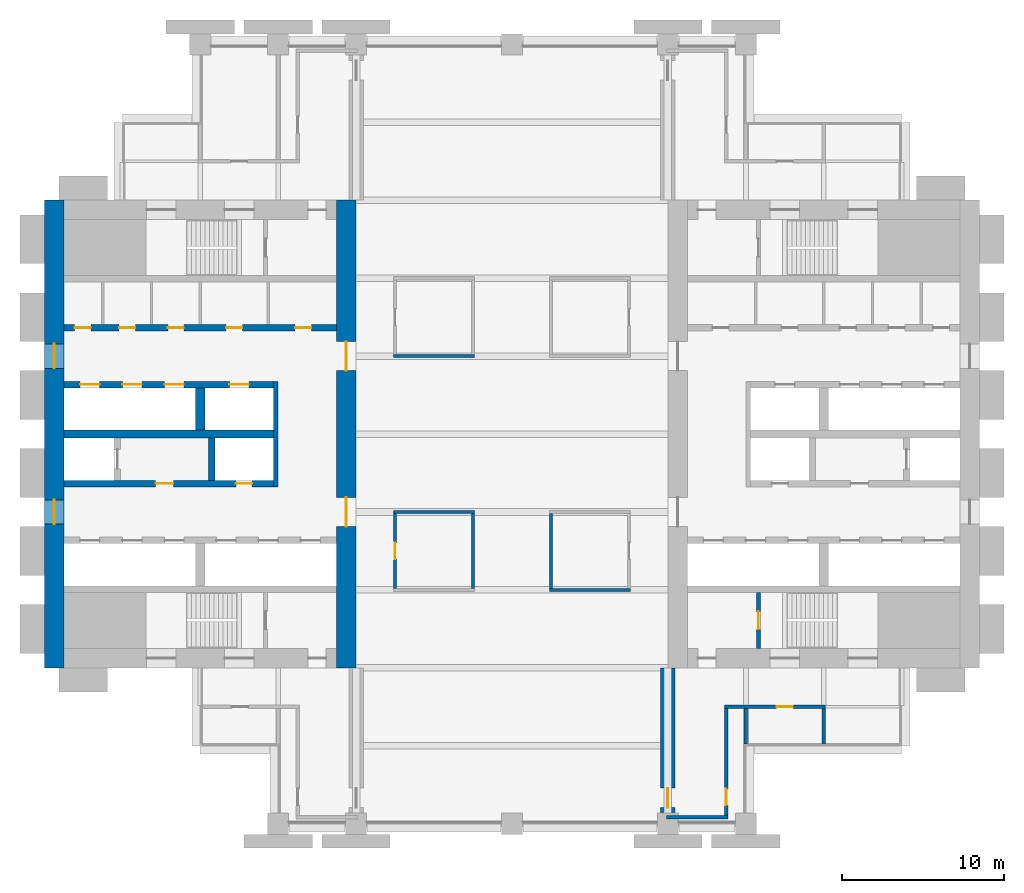
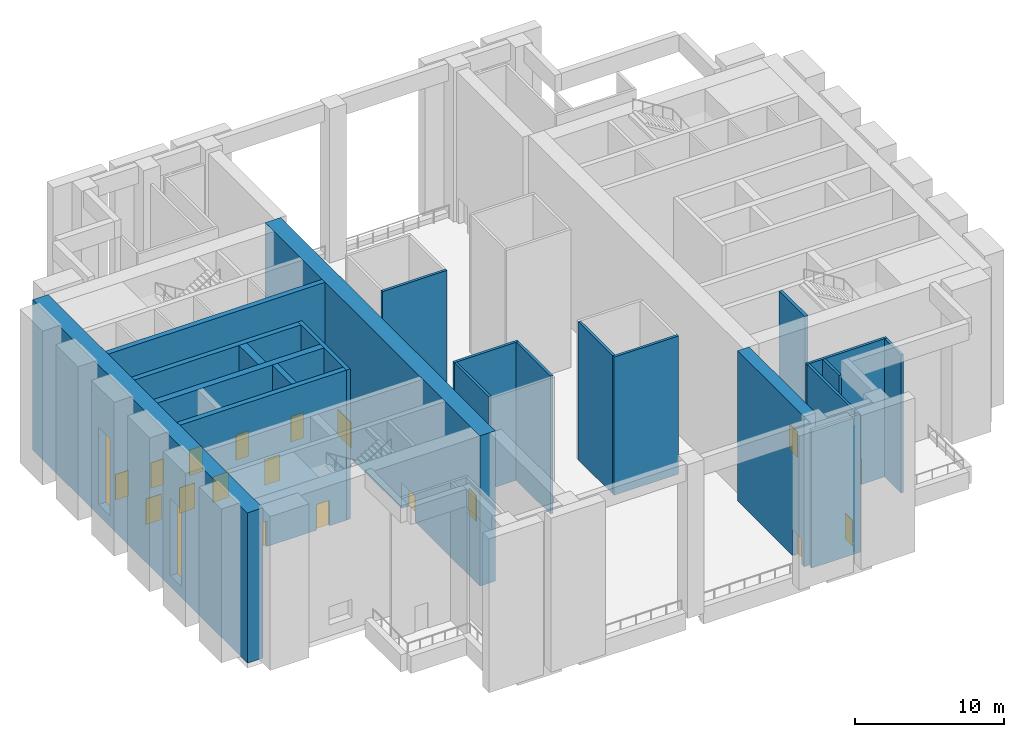
# One storey, part 3 of 10: 22 walls, 18 doors, 2 windows, 20 openings.
"""IFC4 building model written with IfcOpenShell, lengths in metres."""

from ifc_helpers import new_model, si_unit, direction, frame, frame_2d, origin, place, context, subcontext, project, spatial, rectangle, extrude, material, layer, layer_set, type_object, element, fill, save


model = new_model("IFC4")

# Units and contexts
model_context = context("Model", 3, precision=1e-05, world=origin(), true_north=direction((0.0, 1.0)))
body_context = subcontext(model_context, "Body", "Model", "MODEL_VIEW")
ifc_project = project(units=[si_unit("LENGTHUNIT", "METRE"), si_unit("AREAUNIT", "SQUARE_METRE"), si_unit("VOLUMEUNIT", "CUBIC_METRE"), si_unit("PLANEANGLEUNIT", "RADIAN"), si_unit("MASSUNIT", "GRAM", prefix="KILO")], contexts=[model_context])

# Site, building, storey
site_placement = place(None, origin())
site = spatial("IfcSite", under=ifc_project, at=site_placement, CompositionType="ELEMENT")
building_placement = place(site_placement, origin())
building = spatial("IfcBuilding", under=site, at=building_placement, Name="Baori Bourse Tower", CompositionType="ELEMENT")
storey_placement = place(building_placement, frame((0.0, 0.0, 91.5)))
storey = spatial("IfcBuildingStorey", under=building, at=storey_placement, Name="L20", CompositionType="ELEMENT", Elevation=91.5)

# Wall, openings, windows
ifc_material_1 = material(Name="Concrete f'c 70 MPa", Category="concrete")
ifc_layer_1 = layer(ifc_material_1, 1.199951171875)
ifc_layer_set_1 = layer_set([ifc_layer_1], Name="Core wall 1200 f'c 70")
wall_type_1 = type_object("IfcWallType", Name="Core wall 1200 f'c 70", PredefinedType="SHEAR", material=ifc_layer_set_1)
wall_1_placement = place(storey_placement, frame((0.60009765625, 9.60009765625, 0.0), z_axis=(0.0, 0.0, 1.0), x_axis=(0.0, 1.0, 0.0)))
wall_1 = element("IfcWall", 1, at=wall_1_placement, inside=storey, type_object=wall_type_1, Name="Core wall W01", PredefinedType="SHEAR", context=body_context, shape_type="SweptSolid", body=[
    extrude(rectangle(XDim=28.7998046875, YDim=1.199951171875, at=frame_2d((14.39990234375, 0.0))), origin(), (0.0, 0.0, 1.0), 12.300048828125),
])
opening_1_placement = place(wall_1_placement, frame((8.85009765625, 0.0, 0.89990234375)))
opening_1 = element("IfcOpeningElement", 2, at=opening_1_placement, cuts=wall_1, Name="Opening L20-KW101", PredefinedType="OPENING", context=body_context, shape_type="SweptSolid", body=[
    extrude(rectangle(XDim=1.5, YDim=6.300048828125, at=frame_2d((0.75, 3.14990234375))), frame((0.0, 0.60986328125, 0.0), z_axis=(0.0, -1.0, 0.0), x_axis=(1.0, 0.0, 0.0)), (0.0, 0.0, 1.0), 1.219970703125),
])
opening_2_placement = place(wall_1_placement, frame((18.449951171875, 0.0, 0.89990234375)))
opening_2 = element("IfcOpeningElement", 3, at=opening_2_placement, cuts=wall_1, Name="Opening L20-KW102", PredefinedType="OPENING", context=body_context, shape_type="SweptSolid", body=[
    extrude(rectangle(XDim=1.5, YDim=6.300048828125, at=frame_2d((0.75, 3.14990234375))), frame((0.0, 0.60986328125, 0.0), z_axis=(0.0, -1.0, 0.0), x_axis=(1.0, 0.0, 0.0)), (0.0, 0.0, 1.0), 1.219970703125),
])
ifc_material_2 = material(Name="Pale anodised aluminium", Category="aluminium")
window_type = type_object("IfcWindowType", Name="Lobby window 1500 x 6300", PartitioningType="SINGLE_PANEL", PredefinedType="WINDOW", material=ifc_material_2)
window_1_placement = place(opening_1_placement, origin())
window_1 = element("IfcWindow", 4, at=window_1_placement, inside=storey, type_object=window_type, Name="Outer wall window W L20 1", OverallHeight=6.300048828125, OverallWidth=1.5, PartitioningType="SINGLE_PANEL", PredefinedType="WINDOW", context=body_context, shape_type="SweptSolid", body=[
    extrude(rectangle(XDim=1.5, YDim=6.300048828125, at=frame_2d((0.75, 3.14990234375))), frame((0.0, 0.030029296875, 0.0), z_axis=(0.0, -1.0, 0.0), x_axis=(1.0, 0.0, 0.0)), (0.0, 0.0, 1.0), 0.06005859375),
])
fill(opening_1, window_1)
window_2_placement = place(opening_2_placement, origin())
window_2 = element("IfcWindow", 5, at=window_2_placement, inside=storey, type_object=window_type, Name="Outer wall window W L20 2", OverallHeight=6.300048828125, OverallWidth=1.5, PartitioningType="SINGLE_PANEL", PredefinedType="WINDOW", context=body_context, shape_type="SweptSolid", body=[
    extrude(rectangle(XDim=1.5, YDim=6.300048828125, at=frame_2d((0.75, 3.14990234375))), frame((0.0, 0.030029296875, 0.0), z_axis=(0.0, -1.0, 0.0), x_axis=(1.0, 0.0, 0.0)), (0.0, 0.0, 1.0), 0.06005859375),
])
fill(opening_2, window_2)

# Wall, openings, doors
wall_2_placement = place(storey_placement, frame((18.60009765625, 38.39990234375, 0.0), z_axis=(0.0, 0.0, 1.0), x_axis=(0.0, -1.0, 0.0)))
wall_2 = element("IfcWall", 6, at=wall_2_placement, inside=storey, type_object=wall_type_1, Name="Core wall W03", PredefinedType="SHEAR", context=body_context, shape_type="SweptSolid", body=[
    extrude(rectangle(XDim=28.7998046875, YDim=1.199951171875, at=frame_2d((14.39990234375, 0.0))), origin(), (0.0, 0.0, 1.0), 12.300048828125),
])
opening_3_placement = place(wall_2_placement, frame((18.300048828125, 0.0, 0.0)))
opening_3 = element("IfcOpeningElement", 7, at=opening_3_placement, cuts=wall_2, Name="Opening L20-D107", PredefinedType="OPENING", context=body_context, shape_type="SweptSolid", body=[
    extrude(rectangle(XDim=1.800048828125, YDim=2.10009765625, at=frame_2d((0.89990234375, 1.050048828125))), frame((0.0, 0.60986328125, 0.0), z_axis=(0.0, -1.0, 0.0), x_axis=(1.0, 0.0, 0.0)), (0.0, 0.0, 1.0), 1.219970703125),
])
opening_4_placement = place(wall_2_placement, frame((8.699951171875, 0.0, 0.0)))
opening_4 = element("IfcOpeningElement", 8, at=opening_4_placement, cuts=wall_2, Name="Opening L20-D108", PredefinedType="OPENING", context=body_context, shape_type="SweptSolid", body=[
    extrude(rectangle(XDim=1.800048828125, YDim=2.10009765625, at=frame_2d((0.89990234375, 1.050048828125))), frame((0.0, 0.60986328125, 0.0), z_axis=(0.0, -1.0, 0.0), x_axis=(1.0, 0.0, 0.0)), (0.0, 0.0, 1.0), 1.219970703125),
])
ifc_material_3 = material(Name="Painted steel door", Category="steel")
door_type_1 = type_object("IfcDoorType", Name="Core lobby door 1800", OperationType="DOUBLE_DOOR_SINGLE_SWING", PredefinedType="DOOR", material=ifc_material_3)
door_1_placement = place(opening_3_placement, origin())
door_1 = element("IfcDoor", 9, at=door_1_placement, inside=storey, type_object=door_type_1, Name="Lobby door W L20", OperationType="DOUBLE_DOOR_SINGLE_SWING", OverallHeight=2.10009765625, OverallWidth=1.800048828125, PredefinedType="DOOR", context=body_context, shape_type="SweptSolid", body=[
    extrude(rectangle(XDim=1.800048828125, YDim=2.10009765625, at=frame_2d((0.89990234375, 1.050048828125))), frame((0.0, 0.02490234375, 0.0), z_axis=(0.0, -1.0, 0.0), x_axis=(1.0, 0.0, 0.0)), (0.0, 0.0, 1.0), 0.050048828125),
])
fill(opening_3, door_1)
door_2_placement = place(opening_4_placement, origin())
door_2 = element("IfcDoor", 10, at=door_2_placement, inside=storey, type_object=door_type_1, Name="Lobby door W L20", OperationType="DOUBLE_DOOR_SINGLE_SWING", OverallHeight=2.10009765625, OverallWidth=1.800048828125, PredefinedType="DOOR", context=body_context, shape_type="SweptSolid", body=[
    extrude(rectangle(XDim=1.800048828125, YDim=2.10009765625, at=frame_2d((0.89990234375, 1.050048828125))), frame((0.0, 0.02490234375, 0.0), z_axis=(0.0, -1.0, 0.0), x_axis=(1.0, 0.0, 0.0)), (0.0, 0.0, 1.0), 0.050048828125),
])
fill(opening_4, door_2)

# Wall, opening, door
ifc_material_4 = material(Name="Concrete f'c 70 MPa", Category="concrete")
ifc_layer_2 = layer(ifc_material_4, 0.89990234375)
ifc_layer_set_2 = layer_set([ifc_layer_2], Name="Outrigger wall 900 70")
wall_type_2 = type_object("IfcWallType", Name="Outrigger wall 900 70", PredefinedType="SHEAR", material=ifc_layer_set_2)
wall_3_placement = place(storey_placement, frame((38.39990234375, 0.699951171875, 0.0), z_axis=(0.0, 0.0, 1.0), x_axis=(0.0, 1.0, 0.0)))
wall_3 = element("IfcWall", 11, at=wall_3_placement, inside=storey, type_object=wall_type_2, Name="Outrigger wall L20", PredefinedType="SHEAR", context=body_context, shape_type="SweptSolid", body=[
    extrude(rectangle(XDim=8.900146484375, YDim=0.89990234375, at=frame_2d((4.4501953125, 0.0))), origin(), (0.0, 0.0, 1.0), 12.300048828125),
])
opening_5_placement = place(wall_3_placement, frame((0.300048828125, 0.0, 0.0)))
opening_5 = element("IfcOpeningElement", 12, at=opening_5_placement, cuts=wall_3, Name="Opening L20-D15", PredefinedType="OPENING", context=body_context, shape_type="SweptSolid", body=[
    extrude(rectangle(XDim=1.199951171875, YDim=2.10009765625, at=frame_2d((0.60009765625, 1.050048828125))), frame((0.0, 0.4599609375, 0.0), z_axis=(0.0, -1.0, 0.0), x_axis=(1.0, 0.0, 0.0)), (0.0, 0.0, 1.0), 0.919921875),
])
ifc_material_5 = material(Name="Timber door leaf", Category="wood")
door_type_2 = type_object("IfcDoorType", Name="Door 1200 x 2100", OperationType="SINGLE_SWING_LEFT", PredefinedType="DOOR", material=ifc_material_5)
door_3_placement = place(opening_5_placement, origin())
door_3 = element("IfcDoor", 13, at=door_3_placement, inside=storey, type_object=door_type_2, Name="Door", OperationType="SINGLE_SWING_RIGHT", OverallHeight=2.10009765625, OverallWidth=1.199951171875, PredefinedType="DOOR", context=body_context, shape_type="SweptSolid", body=[
    extrude(rectangle(XDim=1.199951171875, YDim=2.10009765625, at=frame_2d((0.60009765625, 1.050048828125))), frame((0.0, 0.02490234375, 0.0), z_axis=(0.0, -1.0, 0.0), x_axis=(1.0, 0.0, 0.0)), (0.0, 0.0, 1.0), 0.050048828125),
])
fill(opening_5, door_3)

# Wall
ifc_material_6 = material(Name="Gypsum board partition")
ifc_layer_3 = layer(ifc_material_6, 0.199951171875)
ifc_layer_set_3 = layer_set([ifc_layer_3], Name="Plant room wall 200")
wall_type_3 = type_object("IfcWallType", Name="Plant room wall 200", PredefinedType="PARTITIONING", material=ifc_layer_set_3)
wall_4_placement = place(storey_placement, frame((38.300048828125, 0.39990234375, 0.0), z_axis=(0.0, 0.0, 1.0), x_axis=(1.0, 0.0, 0.0)))
element("IfcWall", 14, at=wall_4_placement, inside=storey, type_object=wall_type_3, Name="Partition", PredefinedType="PARTITIONING", context=body_context, shape_type="SweptSolid", body=[
    extrude(rectangle(XDim=3.800048828125, YDim=0.199951171875, at=frame_2d((1.89990234375, 0.0))), origin(), (0.0, 0.0, 1.0), 11.309326171875),
])

# Wall, opening, door
wall_5_placement = place(storey_placement, frame((41.89990234375, 7.199951171875, 0.0), z_axis=(0.0, 0.0, 1.0), x_axis=(1.0, 0.0, 0.0)))
wall_5 = element("IfcWall", 15, at=wall_5_placement, inside=storey, type_object=wall_type_3, Name="Partition", PredefinedType="PARTITIONING", context=body_context, shape_type="SweptSolid", body=[
    extrude(rectangle(XDim=6.2001953125, YDim=0.199951171875, at=frame_2d((3.10009765625, 0.0))), origin(), (0.0, 0.0, 1.0), 11.309326171875),
])
opening_6_placement = place(wall_5_placement, frame((3.199951171875, 0.0, 0.0)))
opening_6 = element("IfcOpeningElement", 16, at=opening_6_placement, cuts=wall_5, Name="Opening L20-D02", PredefinedType="OPENING", context=body_context, shape_type="SweptSolid", body=[
    extrude(rectangle(XDim=1.0, YDim=2.10009765625, at=frame_2d((0.5, 1.050048828125))), frame((0.0, 0.10986328125, 0.0), z_axis=(0.0, -1.0, 0.0), x_axis=(1.0, 0.0, 0.0)), (0.0, 0.0, 1.0), 0.219970703125),
])
ifc_material_7 = material(Name="Timber door leaf", Category="wood")
door_type_3 = type_object("IfcDoorType", Name="Door 1000 x 2100", OperationType="SINGLE_SWING_LEFT", PredefinedType="DOOR", material=ifc_material_7)
door_4_placement = place(opening_6_placement, origin())
door_4 = element("IfcDoor", 17, at=door_4_placement, inside=storey, type_object=door_type_3, Name="Door", OperationType="SINGLE_SWING_RIGHT", OverallHeight=2.10009765625, OverallWidth=1.0, PredefinedType="DOOR", context=body_context, shape_type="SweptSolid", body=[
    extrude(rectangle(XDim=1.0, YDim=2.10009765625, at=frame_2d((0.5, 1.050048828125))), frame((0.0, 0.02490234375, 0.0), z_axis=(0.0, -1.0, 0.0), x_axis=(1.0, 0.0, 0.0)), (0.0, 0.0, 1.0), 0.050048828125),
])
fill(opening_6, door_4)

# Walls
for number, where, z_axis, x_axis, name in (
    (18, (31.10009765625, 14.39990234375, 0.0), (0.0, 0.0, 1.0), (1.0, 0.0, 0.0), "Partition"),
    (19, (21.5, 19.199951171875, 0.0), (0.0, 0.0, 1.0), (1.0, 0.0, 0.0), "Partition"),
    (20, (21.5, 28.800048828125, 0.0), (0.0, 0.0, 1.0), (1.0, 0.0, 0.0), "Partition"),
):
    element("IfcWall", number, at=place(storey_placement, frame(where, z_axis=z_axis, x_axis=x_axis)), inside=storey, type_object=wall_type_3, Name=name, PredefinedType="PARTITIONING", context=body_context, shape_type="SweptSolid", body=[
        extrude(rectangle(XDim=5.0, YDim=0.199951171875, at=frame_2d((2.5, 0.0))), origin(), (0.0, 0.0, 1.0), 11.309326171875),
    ])

# Wall, opening, door
wall_6_placement = place(storey_placement, frame((21.60009765625, 14.5, 0.0), z_axis=(0.0, 0.0, 1.0), x_axis=(0.0, 1.0, 0.0)))
wall_6 = element("IfcWall", 21, at=wall_6_placement, inside=storey, type_object=wall_type_3, Name="Partition", PredefinedType="PARTITIONING", context=body_context, shape_type="SweptSolid", body=[
    extrude(rectangle(XDim=4.60009765625, YDim=0.199951171875, at=frame_2d((2.300048828125, 0.0))), origin(), (0.0, 0.0, 1.0), 11.309326171875),
])
opening_7_placement = place(wall_6_placement, frame((1.800048828125, 0.0, 0.0)))
opening_7 = element("IfcOpeningElement", 22, at=opening_7_placement, cuts=wall_6, Name="Opening L20-D07", PredefinedType="OPENING", context=body_context, shape_type="SweptSolid", body=[
    extrude(rectangle(XDim=1.0, YDim=2.10009765625, at=frame_2d((0.5, 1.050048828125))), frame((0.0, 0.10986328125, 0.0), z_axis=(0.0, -1.0, 0.0), x_axis=(1.0, 0.0, 0.0)), (0.0, 0.0, 1.0), 0.219970703125),
])
door_5_placement = place(opening_7_placement, origin())
door_5 = element("IfcDoor", 23, at=door_5_placement, inside=storey, type_object=door_type_3, Name="Door", OperationType="SINGLE_SWING_LEFT", OverallHeight=2.10009765625, OverallWidth=1.0, PredefinedType="DOOR", context=body_context, shape_type="SweptSolid", body=[
    extrude(rectangle(XDim=1.0, YDim=2.10009765625, at=frame_2d((0.5, 1.050048828125))), frame((0.0, 0.02490234375, 0.0), z_axis=(0.0, -1.0, 0.0), x_axis=(1.0, 0.0, 0.0)), (0.0, 0.0, 1.0), 0.050048828125),
])
fill(opening_7, door_5)

# Walls
for number, where, z_axis, x_axis, name in (
    (24, (26.39990234375, 14.5, 0.0), (0.0, 0.0, 1.0), (0.0, 1.0, 0.0), "Partition"),
    (25, (31.199951171875, 14.5, 0.0), (0.0, 0.0, 1.0), (0.0, 1.0, 0.0), "Partition"),
):
    element("IfcWall", number, at=place(storey_placement, frame(where, z_axis=z_axis, x_axis=x_axis)), inside=storey, type_object=wall_type_3, Name=name, PredefinedType="PARTITIONING", context=body_context, shape_type="SweptSolid", body=[
        extrude(rectangle(XDim=4.60009765625, YDim=0.199951171875, at=frame_2d((2.300048828125, 0.0))), origin(), (0.0, 0.0, 1.0), 11.309326171875),
    ])

# Wall, opening, door
wall_7_placement = place(storey_placement, frame((42.0, 0.5, 0.0), z_axis=(0.0, 0.0, 1.0), x_axis=(0.0, 1.0, 0.0)))
wall_7 = element("IfcWall", 26, at=wall_7_placement, inside=storey, type_object=wall_type_3, Name="Partition", PredefinedType="PARTITIONING", context=body_context, shape_type="SweptSolid", body=[
    extrude(rectangle(XDim=6.60009765625, YDim=0.199951171875, at=frame_2d((3.300048828125, 0.0))), origin(), (0.0, 0.0, 1.0), 11.309326171875),
])
opening_8_placement = place(wall_7_placement, frame((0.64990234375, 0.0, 0.0)))
opening_8 = element("IfcOpeningElement", 27, at=opening_8_placement, cuts=wall_7, Name="Opening L20-D11", PredefinedType="OPENING", context=body_context, shape_type="SweptSolid", body=[
    extrude(rectangle(XDim=1.0, YDim=2.10009765625, at=frame_2d((0.5, 1.050048828125))), frame((0.0, 0.10986328125, 0.0), z_axis=(0.0, -1.0, 0.0), x_axis=(1.0, 0.0, 0.0)), (0.0, 0.0, 1.0), 0.219970703125),
])
door_6_placement = place(opening_8_placement, origin())
door_6 = element("IfcDoor", 28, at=door_6_placement, inside=storey, type_object=door_type_3, Name="Door", OperationType="SINGLE_SWING_LEFT", OverallHeight=2.10009765625, OverallWidth=1.0, PredefinedType="DOOR", context=body_context, shape_type="SweptSolid", body=[
    extrude(rectangle(XDim=1.0, YDim=2.10009765625, at=frame_2d((0.5, 1.050048828125))), frame((0.0, 0.02490234375, 0.0), z_axis=(0.0, -1.0, 0.0), x_axis=(1.0, 0.0, 0.0)), (0.0, 0.0, 1.0), 0.050048828125),
])
fill(opening_8, door_6)

# Walls
for number, where, z_axis, x_axis, name in (
    (29, (43.199951171875, 4.89990234375, 0.0), (0.0, 0.0, 1.0), (0.0, 1.0, 0.0), "Partition"),
    (30, (48.0, 4.89990234375, 0.0), (0.0, 0.0, 1.0), (0.0, 1.0, 0.0), "Partition"),
):
    element("IfcWall", number, at=place(storey_placement, frame(where, z_axis=z_axis, x_axis=x_axis)), inside=storey, type_object=wall_type_3, Name=name, PredefinedType="PARTITIONING", context=body_context, shape_type="SweptSolid", body=[
        extrude(rectangle(XDim=2.2001953125, YDim=0.199951171875, at=frame_2d((1.10009765625, 0.0))), origin(), (0.0, 0.0, 1.0), 11.309326171875),
    ])

# Wall, opening, door
ifc_material_8 = material(Name="Concrete f'c 70 MPa", Category="concrete")
ifc_layer_4 = layer(ifc_material_8, 0.25)
ifc_layer_set_4 = layer_set([ifc_layer_4], Name="Shaft wall 250 f'c 70")
wall_type_4 = type_object("IfcWallType", Name="Shaft wall 250 f'c 70", PredefinedType="SHEAR", material=ifc_layer_set_4)
wall_8_placement = place(storey_placement, frame((43.97509765625, 10.800048828125, 0.0), z_axis=(0.0, 0.0, 1.0), x_axis=(0.0, 1.0, 0.0)))
wall_8 = element("IfcWall", 31, at=wall_8_placement, inside=storey, type_object=wall_type_4, Name="Core wall E05", PredefinedType="SHEAR", context=body_context, shape_type="SweptSolid", body=[
    extrude(rectangle(XDim=3.449951171875, YDim=0.25, at=frame_2d((1.72509765625, 0.0))), origin(), (0.0, 0.0, 1.0), 12.300048828125),
])
opening_9_placement = place(wall_8_placement, frame((1.175048828125, 0.0, 0.0)))
opening_9 = element("IfcOpeningElement", 32, at=opening_9_placement, cuts=wall_8, Name="Opening L20-D201", PredefinedType="OPENING", context=body_context, shape_type="SweptSolid", body=[
    extrude(rectangle(XDim=1.10009765625, YDim=2.10009765625, at=frame_2d((0.550048828125, 1.050048828125))), frame((0.0, 0.135009765625, 0.0), z_axis=(0.0, -1.0, 0.0), x_axis=(1.0, 0.0, 0.0)), (0.0, 0.0, 1.0), 0.27001953125),
])
ifc_material_9 = material(Name="Painted steel door", Category="steel")
door_type_4 = type_object("IfcDoorType", Name="Stair door 1100", OperationType="SINGLE_SWING_LEFT", PredefinedType="DOOR", material=ifc_material_9)
door_7_placement = place(opening_9_placement, origin())
door_7 = element("IfcDoor", 33, at=door_7_placement, inside=storey, type_object=door_type_4, Name="Stair door A E L20", OperationType="SINGLE_SWING_LEFT", OverallHeight=2.10009765625, OverallWidth=1.10009765625, PredefinedType="DOOR", context=body_context, shape_type="SweptSolid", body=[
    extrude(rectangle(XDim=1.10009765625, YDim=2.10009765625, at=frame_2d((0.550048828125, 1.050048828125))), frame((0.0, 0.02490234375, 0.0), z_axis=(0.0, -1.0, 0.0), x_axis=(1.0, 0.0, 0.0)), (0.0, 0.0, 1.0), 0.050048828125),
])
fill(opening_9, door_7)

# Wall
ifc_material_10 = material(Name="Concrete f'c 70 MPa", Category="concrete")
ifc_layer_5 = layer(ifc_material_10, 0.300048828125)
ifc_layer_set_5 = layer_set([ifc_layer_5], Name="Shaft wall 300 f'c 70")
wall_type_5 = type_object("IfcWallType", Name="Shaft wall 300 f'c 70", PredefinedType="SHEAR", material=ifc_layer_set_5)
wall_9_placement = place(storey_placement, frame((14.25, 20.75, 0.0), z_axis=(0.0, 0.0, 1.0), x_axis=(0.0, 1.0, 0.0)))
element("IfcWall", 34, at=wall_9_placement, inside=storey, type_object=wall_type_5, Name="Core wall W10", PredefinedType="SHEAR", context=body_context, shape_type="SweptSolid", body=[
    extrude(rectangle(XDim=6.5, YDim=0.300048828125, at=frame_2d((3.25, 0.0))), origin(), (0.0, 0.0, 1.0), 12.300048828125),
])

# Wall, openings, doors
ifc_material_11 = material(Name="Concrete f'c 70 MPa", Category="concrete")
ifc_layer_6 = layer(ifc_material_11, 0.39990234375)
ifc_layer_set_6 = layer_set([ifc_layer_6], Name="Shaft wall 400 f'c 70")
wall_type_6 = type_object("IfcWallType", Name="Shaft wall 400 f'c 70", PredefinedType="SHEAR", material=ifc_layer_set_6)
wall_10_placement = place(storey_placement, frame((1.199951171875, 20.949951171875, 0.0), z_axis=(0.0, 0.0, 1.0), x_axis=(1.0, 0.0, 0.0)))
wall_10 = element("IfcWall", 35, at=wall_10_placement, inside=storey, type_object=wall_type_6, Name="Core wall W09", PredefinedType="SHEAR", context=body_context, shape_type="SweptSolid", body=[
    extrude(rectangle(XDim=12.900146484375, YDim=0.39990234375, at=frame_2d((6.4501953125, 0.0))), origin(), (0.0, 0.0, 1.0), 12.300048828125),
])
opening_10_placement = place(wall_10_placement, frame((5.64990234375, 0.0, 0.0)))
opening_10 = element("IfcOpeningElement", 36, at=opening_10_placement, cuts=wall_10, Name="Opening L20-D105", PredefinedType="OPENING", context=body_context, shape_type="SweptSolid", body=[
    extrude(rectangle(XDim=1.10009765625, YDim=2.10009765625, at=frame_2d((0.550048828125, 1.050048828125))), frame((0.0, 0.2099609375, 0.0), z_axis=(0.0, -1.0, 0.0), x_axis=(1.0, 0.0, 0.0)), (0.0, 0.0, 1.0), 0.419921875),
])
opening_11_placement = place(wall_10_placement, frame((10.60009765625, 0.0, 0.0)))
opening_11 = element("IfcOpeningElement", 37, at=opening_11_placement, cuts=wall_10, Name="Opening L20-D106", PredefinedType="OPENING", context=body_context, shape_type="SweptSolid", body=[
    extrude(rectangle(XDim=1.0, YDim=2.10009765625, at=frame_2d((0.5, 1.050048828125))), frame((0.0, 0.2099609375, 0.0), z_axis=(0.0, -1.0, 0.0), x_axis=(1.0, 0.0, 0.0)), (0.0, 0.0, 1.0), 0.419921875),
])
ifc_material_12 = material(Name="Painted steel door", Category="steel")
door_type_5 = type_object("IfcDoorType", Name="Lobby door 1100", OperationType="SINGLE_SWING_LEFT", PredefinedType="DOOR", material=ifc_material_12)
door_8_placement = place(opening_10_placement, origin())
door_8 = element("IfcDoor", 38, at=door_8_placement, inside=storey, type_object=door_type_5, Name="Firefighting lobby door W L20", OperationType="SINGLE_SWING_LEFT", OverallHeight=2.10009765625, OverallWidth=1.10009765625, PredefinedType="DOOR", context=body_context, shape_type="SweptSolid", body=[
    extrude(rectangle(XDim=1.10009765625, YDim=2.10009765625, at=frame_2d((0.550048828125, 1.050048828125))), frame((0.0, 0.02490234375, 0.0), z_axis=(0.0, -1.0, 0.0), x_axis=(1.0, 0.0, 0.0)), (0.0, 0.0, 1.0), 0.050048828125),
])
fill(opening_10, door_8)
ifc_material_13 = material(Name="Painted steel door", Category="steel")
door_type_6 = type_object("IfcDoorType", Name="Shaft door 1000", OperationType="SINGLE_SWING_LEFT", PredefinedType="DOOR", material=ifc_material_13)
door_9_placement = place(opening_11_placement, origin())
door_9 = element("IfcDoor", 39, at=door_9_placement, inside=storey, type_object=door_type_6, Name="Riser room door W L20", OperationType="SINGLE_SWING_LEFT", OverallHeight=2.10009765625, OverallWidth=1.0, PredefinedType="DOOR", context=body_context, shape_type="SweptSolid", body=[
    extrude(rectangle(XDim=1.0, YDim=2.10009765625, at=frame_2d((0.5, 1.050048828125))), frame((0.0, 0.02490234375, 0.0), z_axis=(0.0, -1.0, 0.0), x_axis=(1.0, 0.0, 0.0)), (0.0, 0.0, 1.0), 0.050048828125),
])
fill(opening_11, door_9)

# Wall
wall_11_placement = place(storey_placement, frame((10.300048828125, 21.14990234375, 0.0), z_axis=(0.0, 0.0, 1.0), x_axis=(0.0, 1.0, 0.0)))
element("IfcWall", 40, at=wall_11_placement, inside=storey, type_object=wall_type_6, Name="Core wall W12", PredefinedType="SHEAR", context=body_context, shape_type="SweptSolid", body=[
    extrude(rectangle(XDim=2.60009765625, YDim=0.39990234375, at=frame_2d((1.300048828125, 0.0))), origin(), (0.0, 0.0, 1.0), 12.300048828125),
])

# Wall, openings, doors
wall_12_placement = place(storey_placement, frame((1.199951171875, 27.050048828125, 0.0), z_axis=(0.0, 0.0, 1.0), x_axis=(1.0, 0.0, 0.0)))
wall_12 = element("IfcWall", 41, at=wall_12_placement, inside=storey, type_object=wall_type_6, Name="Core wall W15", PredefinedType="SHEAR", context=body_context, shape_type="SweptSolid", body=[
    extrude(rectangle(XDim=12.900146484375, YDim=0.39990234375, at=frame_2d((6.4501953125, 0.0))), origin(), (0.0, 0.0, 1.0), 12.300048828125),
])
opening_12_placement = place(wall_12_placement, frame((1.0, 0.0, 0.0)))
opening_12 = element("IfcOpeningElement", 42, at=opening_12_placement, cuts=wall_12, Name="Opening L20-D120", PredefinedType="OPENING", context=body_context, shape_type="SweptSolid", body=[
    extrude(rectangle(XDim=1.199951171875, YDim=2.10009765625, at=frame_2d((0.60009765625, 1.050048828125))), frame((0.0, 0.2099609375, 0.0), z_axis=(0.0, -1.0, 0.0), x_axis=(1.0, 0.0, 0.0)), (0.0, 0.0, 1.0), 0.419921875),
])
opening_13_placement = place(wall_12_placement, frame((3.60009765625, 0.0, 0.0)))
opening_13 = element("IfcOpeningElement", 43, at=opening_13_placement, cuts=wall_12, Name="Opening L20-D121", PredefinedType="OPENING", context=body_context, shape_type="SweptSolid", body=[
    extrude(rectangle(XDim=1.199951171875, YDim=2.10009765625, at=frame_2d((0.60009765625, 1.050048828125))), frame((0.0, 0.2099609375, 0.0), z_axis=(0.0, -1.0, 0.0), x_axis=(1.0, 0.0, 0.0)), (0.0, 0.0, 1.0), 0.419921875),
])
opening_14_placement = place(wall_12_placement, frame((6.199951171875, 0.0, 0.0)))
opening_14 = element("IfcOpeningElement", 44, at=opening_14_placement, cuts=wall_12, Name="Opening L20-D122", PredefinedType="OPENING", context=body_context, shape_type="SweptSolid", body=[
    extrude(rectangle(XDim=1.199951171875, YDim=2.10009765625, at=frame_2d((0.60009765625, 1.050048828125))), frame((0.0, 0.2099609375, 0.0), z_axis=(0.0, -1.0, 0.0), x_axis=(1.0, 0.0, 0.0)), (0.0, 0.0, 1.0), 0.419921875),
])
opening_15_placement = place(wall_12_placement, frame((10.199951171875, 0.0, 0.0)))
opening_15 = element("IfcOpeningElement", 45, at=opening_15_placement, cuts=wall_12, Name="Opening L20-D123", PredefinedType="OPENING", context=body_context, shape_type="SweptSolid", body=[
    extrude(rectangle(XDim=1.199951171875, YDim=2.10009765625, at=frame_2d((0.60009765625, 1.050048828125))), frame((0.0, 0.2099609375, 0.0), z_axis=(0.0, -1.0, 0.0), x_axis=(1.0, 0.0, 0.0)), (0.0, 0.0, 1.0), 0.419921875),
])
ifc_material_14 = material(Name="Stainless steel door", Category="steel")
door_type_7 = type_object("IfcDoorType", Name="Lift landing door", OperationType="DOUBLE_DOOR_SLIDING", PredefinedType="DOOR", material=ifc_material_14)
door_10_placement = place(opening_12_placement, origin())
door_10 = element("IfcDoor", 46, at=door_10_placement, inside=storey, type_object=door_type_7, Name="Lift landing door SH1 W L20", OperationType="DOUBLE_DOOR_SLIDING", OverallHeight=2.10009765625, OverallWidth=1.199951171875, PredefinedType="DOOR", context=body_context, shape_type="SweptSolid", body=[
    extrude(rectangle(XDim=1.199951171875, YDim=2.10009765625, at=frame_2d((0.60009765625, 1.050048828125))), frame((0.0, 0.02490234375, 0.0), z_axis=(0.0, -1.0, 0.0), x_axis=(1.0, 0.0, 0.0)), (0.0, 0.0, 1.0), 0.050048828125),
])
fill(opening_12, door_10)
door_11_placement = place(opening_13_placement, origin())
door_11 = element("IfcDoor", 47, at=door_11_placement, inside=storey, type_object=door_type_7, Name="Lift landing door SH2 W L20", OperationType="DOUBLE_DOOR_SLIDING", OverallHeight=2.10009765625, OverallWidth=1.199951171875, PredefinedType="DOOR", context=body_context, shape_type="SweptSolid", body=[
    extrude(rectangle(XDim=1.199951171875, YDim=2.10009765625, at=frame_2d((0.60009765625, 1.050048828125))), frame((0.0, 0.02490234375, 0.0), z_axis=(0.0, -1.0, 0.0), x_axis=(1.0, 0.0, 0.0)), (0.0, 0.0, 1.0), 0.050048828125),
])
fill(opening_13, door_11)
door_12_placement = place(opening_14_placement, origin())
door_12 = element("IfcDoor", 48, at=door_12_placement, inside=storey, type_object=door_type_7, Name="Lift landing door SH3 W L20", OperationType="DOUBLE_DOOR_SLIDING", OverallHeight=2.10009765625, OverallWidth=1.199951171875, PredefinedType="DOOR", context=body_context, shape_type="SweptSolid", body=[
    extrude(rectangle(XDim=1.199951171875, YDim=2.10009765625, at=frame_2d((0.60009765625, 1.050048828125))), frame((0.0, 0.02490234375, 0.0), z_axis=(0.0, -1.0, 0.0), x_axis=(1.0, 0.0, 0.0)), (0.0, 0.0, 1.0), 0.050048828125),
])
fill(opening_14, door_12)
door_13_placement = place(opening_15_placement, origin())
door_13 = element("IfcDoor", 49, at=door_13_placement, inside=storey, type_object=door_type_7, Name="Lift landing door SV1 W L20", OperationType="DOUBLE_DOOR_SLIDING", OverallHeight=2.10009765625, OverallWidth=1.199951171875, PredefinedType="DOOR", context=body_context, shape_type="SweptSolid", body=[
    extrude(rectangle(XDim=1.199951171875, YDim=2.10009765625, at=frame_2d((0.60009765625, 1.050048828125))), frame((0.0, 0.02490234375, 0.0), z_axis=(0.0, -1.0, 0.0), x_axis=(1.0, 0.0, 0.0)), (0.0, 0.0, 1.0), 0.050048828125),
])
fill(opening_15, door_13)

wall_13_placement = place(storey_placement, frame((1.199951171875, 30.550048828125, 0.0), z_axis=(0.0, 0.0, 1.0), x_axis=(1.0, 0.0, 0.0)))
wall_13 = element("IfcWall", 50, at=wall_13_placement, inside=storey, type_object=wall_type_6, Name="Core wall W16", PredefinedType="SHEAR", context=body_context, shape_type="SweptSolid", body=[
    extrude(rectangle(XDim=16.800048828125, YDim=0.39990234375, at=frame_2d((8.39990234375, 0.0))), origin(), (0.0, 0.0, 1.0), 12.300048828125),
])
opening_16_placement = place(wall_13_placement, frame((0.66259765625, 0.0, 0.0)))
opening_16 = element("IfcOpeningElement", 51, at=opening_16_placement, cuts=wall_13, Name="Opening L20-D109", PredefinedType="OPENING", context=body_context, shape_type="SweptSolid", body=[
    extrude(rectangle(XDim=1.0, YDim=2.10009765625, at=frame_2d((0.5, 1.050048828125))), frame((0.0, 0.2099609375, 0.0), z_axis=(0.0, -1.0, 0.0), x_axis=(1.0, 0.0, 0.0)), (0.0, 0.0, 1.0), 0.419921875),
])
opening_17_placement = place(wall_13_placement, frame((3.39990234375, 0.0, 0.0)))
opening_17 = element("IfcOpeningElement", 52, at=opening_17_placement, cuts=wall_13, Name="Opening L20-D110", PredefinedType="OPENING", context=body_context, shape_type="SweptSolid", body=[
    extrude(rectangle(XDim=1.0, YDim=2.10009765625, at=frame_2d((0.5, 1.050048828125))), frame((0.0, 0.2099609375, 0.0), z_axis=(0.0, -1.0, 0.0), x_axis=(1.0, 0.0, 0.0)), (0.0, 0.0, 1.0), 0.419921875),
])
opening_18_placement = place(wall_13_placement, frame((6.39990234375, 0.0, 0.0)))
opening_18 = element("IfcOpeningElement", 53, at=opening_18_placement, cuts=wall_13, Name="Opening L20-D111", PredefinedType="OPENING", context=body_context, shape_type="SweptSolid", body=[
    extrude(rectangle(XDim=1.0, YDim=2.10009765625, at=frame_2d((0.5, 1.050048828125))), frame((0.0, 0.2099609375, 0.0), z_axis=(0.0, -1.0, 0.0), x_axis=(1.0, 0.0, 0.0)), (0.0, 0.0, 1.0), 0.419921875),
])
opening_19_placement = place(wall_13_placement, frame((10.0, 0.0, 0.0)))
opening_19 = element("IfcOpeningElement", 54, at=opening_19_placement, cuts=wall_13, Name="Opening L20-D112", PredefinedType="OPENING", context=body_context, shape_type="SweptSolid", body=[
    extrude(rectangle(XDim=1.0, YDim=2.10009765625, at=frame_2d((0.5, 1.050048828125))), frame((0.0, 0.2099609375, 0.0), z_axis=(0.0, -1.0, 0.0), x_axis=(1.0, 0.0, 0.0)), (0.0, 0.0, 1.0), 0.419921875),
])
opening_20_placement = place(wall_13_placement, frame((14.237548828125, 0.0, 0.0)))
opening_20 = element("IfcOpeningElement", 55, at=opening_20_placement, cuts=wall_13, Name="Opening L20-D113", PredefinedType="OPENING", context=body_context, shape_type="SweptSolid", body=[
    extrude(rectangle(XDim=1.0, YDim=2.10009765625, at=frame_2d((0.5, 1.050048828125))), frame((0.0, 0.2099609375, 0.0), z_axis=(0.0, -1.0, 0.0), x_axis=(1.0, 0.0, 0.0)), (0.0, 0.0, 1.0), 0.419921875),
])
ifc_material_15 = material(Name="Painted steel door", Category="steel")
door_type_8 = type_object("IfcDoorType", Name="Core door 1000", OperationType="SINGLE_SWING_LEFT", PredefinedType="DOOR", material=ifc_material_15)
door_14_placement = place(opening_16_placement, origin())
door_14 = element("IfcDoor", 56, at=door_14_placement, inside=storey, type_object=door_type_8, Name="Pantry door W L20", OperationType="SINGLE_SWING_LEFT", OverallHeight=2.10009765625, OverallWidth=1.0, PredefinedType="DOOR", context=body_context, shape_type="SweptSolid", body=[
    extrude(rectangle(XDim=1.0, YDim=2.10009765625, at=frame_2d((0.5, 1.050048828125))), frame((0.0, 0.02490234375, 0.0), z_axis=(0.0, -1.0, 0.0), x_axis=(1.0, 0.0, 0.0)), (0.0, 0.0, 1.0), 0.050048828125),
])
fill(opening_16, door_14)
door_15_placement = place(opening_17_placement, origin())
door_15 = element("IfcDoor", 57, at=door_15_placement, inside=storey, type_object=door_type_8, Name="Accessible Wc door W L20", OperationType="SINGLE_SWING_LEFT", OverallHeight=2.10009765625, OverallWidth=1.0, PredefinedType="DOOR", context=body_context, shape_type="SweptSolid", body=[
    extrude(rectangle(XDim=1.0, YDim=2.10009765625, at=frame_2d((0.5, 1.050048828125))), frame((0.0, 0.02490234375, 0.0), z_axis=(0.0, -1.0, 0.0), x_axis=(1.0, 0.0, 0.0)), (0.0, 0.0, 1.0), 0.050048828125),
])
fill(opening_17, door_15)
door_16_placement = place(opening_18_placement, origin())
door_16 = element("IfcDoor", 58, at=door_16_placement, inside=storey, type_object=door_type_8, Name="Store Room door W L20", OperationType="SINGLE_SWING_LEFT", OverallHeight=2.10009765625, OverallWidth=1.0, PredefinedType="DOOR", context=body_context, shape_type="SweptSolid", body=[
    extrude(rectangle(XDim=1.0, YDim=2.10009765625, at=frame_2d((0.5, 1.050048828125))), frame((0.0, 0.02490234375, 0.0), z_axis=(0.0, -1.0, 0.0), x_axis=(1.0, 0.0, 0.0)), (0.0, 0.0, 1.0), 0.050048828125),
])
fill(opening_18, door_16)
door_17_placement = place(opening_19_placement, origin())
door_17 = element("IfcDoor", 59, at=door_17_placement, inside=storey, type_object=door_type_8, Name="Men'S Wc door W L20", OperationType="SINGLE_SWING_LEFT", OverallHeight=2.10009765625, OverallWidth=1.0, PredefinedType="DOOR", context=body_context, shape_type="SweptSolid", body=[
    extrude(rectangle(XDim=1.0, YDim=2.10009765625, at=frame_2d((0.5, 1.050048828125))), frame((0.0, 0.02490234375, 0.0), z_axis=(0.0, -1.0, 0.0), x_axis=(1.0, 0.0, 0.0)), (0.0, 0.0, 1.0), 0.050048828125),
])
fill(opening_19, door_17)
door_18_placement = place(opening_20_placement, origin())
door_18 = element("IfcDoor", 60, at=door_18_placement, inside=storey, type_object=door_type_8, Name="Women'S Wc door W L20", OperationType="SINGLE_SWING_LEFT", OverallHeight=2.10009765625, OverallWidth=1.0, PredefinedType="DOOR", context=body_context, shape_type="SweptSolid", body=[
    extrude(rectangle(XDim=1.0, YDim=2.10009765625, at=frame_2d((0.5, 1.050048828125))), frame((0.0, 0.02490234375, 0.0), z_axis=(0.0, -1.0, 0.0), x_axis=(1.0, 0.0, 0.0)), (0.0, 0.0, 1.0), 0.050048828125),
])
fill(opening_20, door_18)

# Walls
ifc_material_16 = material(Name="Concrete f'c 70 MPa", Category="concrete")
ifc_layer_7 = layer(ifc_material_16, 0.5)
ifc_layer_set_7 = layer_set([ifc_layer_7], Name="Shaft wall 500 f'c 70")
wall_type_7 = type_object("IfcWallType", Name="Shaft wall 500 f'c 70", PredefinedType="SHEAR", material=ifc_layer_set_7)
wall_14_placement = place(storey_placement, frame((1.199951171875, 24.0, 0.0), z_axis=(0.0, 0.0, 1.0), x_axis=(1.0, 0.0, 0.0)))
element("IfcWall", 61, at=wall_14_placement, inside=storey, type_object=wall_type_7, Name="Core wall W13", PredefinedType="SHEAR", context=body_context, shape_type="SweptSolid", body=[
    extrude(rectangle(XDim=12.900146484375, YDim=0.5, at=frame_2d((6.4501953125, 0.0))), origin(), (0.0, 0.0, 1.0), 12.300048828125),
])
ifc_material_17 = material(Name="Concrete f'c 70 MPa", Category="concrete")
ifc_layer_8 = layer(ifc_material_17, 0.60009765625)
ifc_layer_set_8 = layer_set([ifc_layer_8], Name="Shaft wall 600 f'c 70")
wall_type_8 = type_object("IfcWallType", Name="Shaft wall 600 f'c 70", PredefinedType="SHEAR", material=ifc_layer_set_8)
wall_15_placement = place(storey_placement, frame((9.60009765625, 24.25, 0.0), z_axis=(0.0, 0.0, 1.0), x_axis=(0.0, 1.0, 0.0)))
element("IfcWall", 62, at=wall_15_placement, inside=storey, type_object=wall_type_8, Name="Core wall W14", PredefinedType="SHEAR", context=body_context, shape_type="SweptSolid", body=[
    extrude(rectangle(XDim=2.60009765625, YDim=0.60009765625, at=frame_2d((1.300048828125, 0.0))), origin(), (0.0, 0.0, 1.0), 12.300048828125),
])

save(model, "model.ifc")
